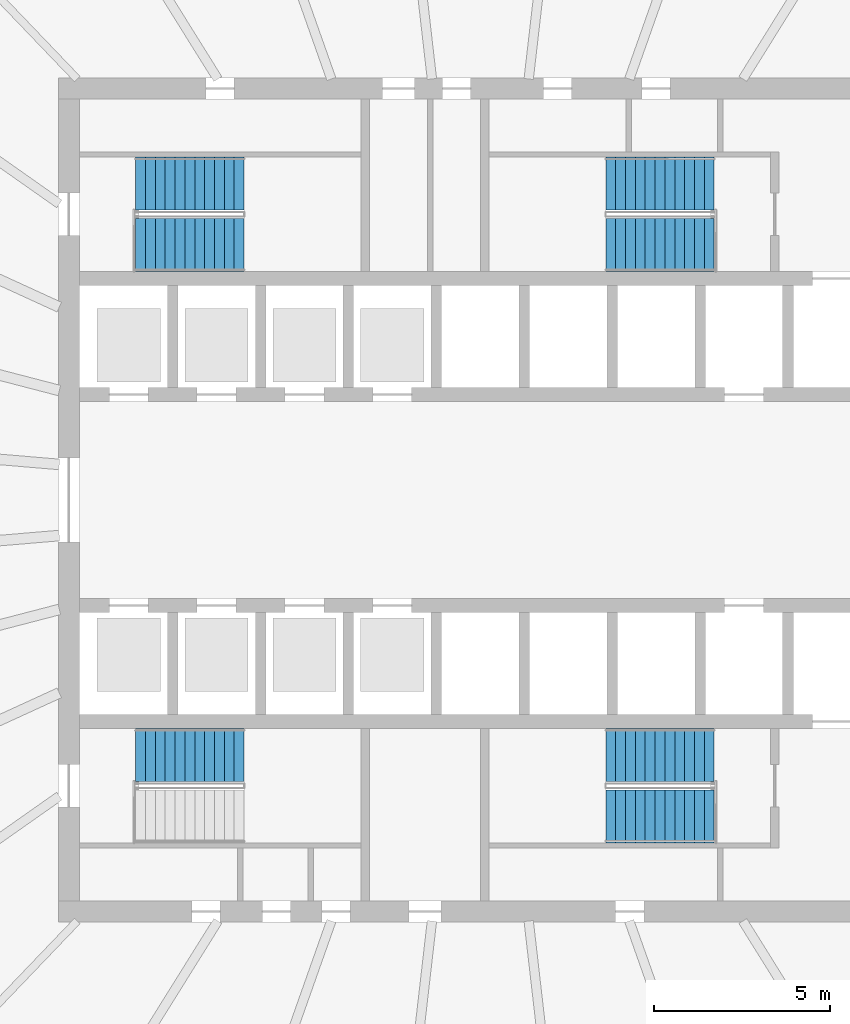
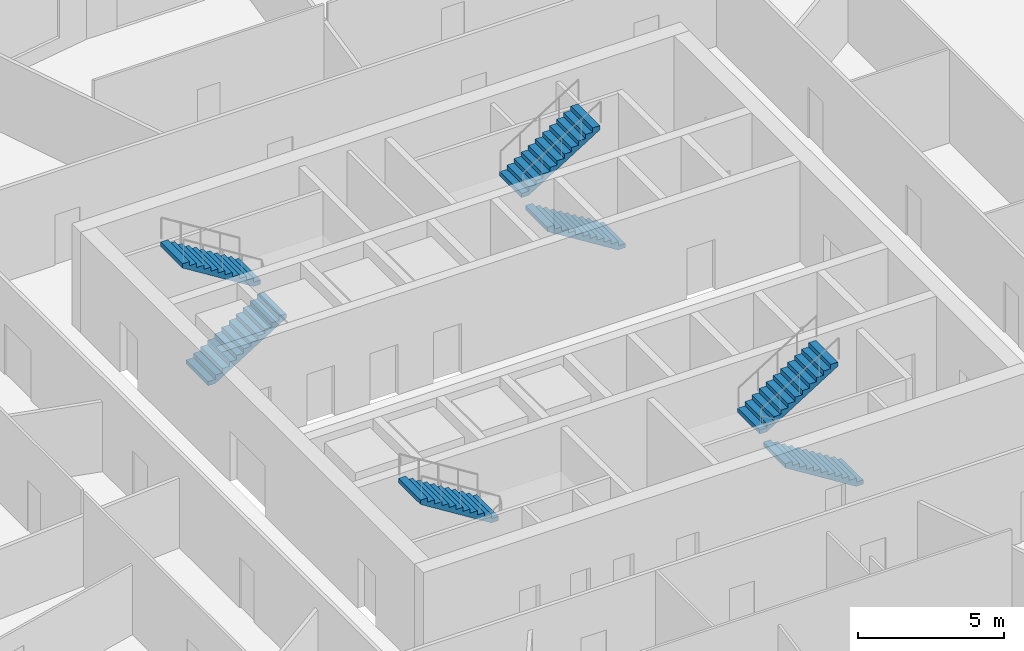
# One storey, part 8 of 11: 7 stair flights, 4 elements without a shape of their own.
"""IFC4 building model written with IfcOpenShell, lengths in metres."""

import ifcopenshell
import ifcopenshell.guid

model = None  # the IFC model being written
_history = None  # IfcOwnerHistory: only IFC2X3 demands one
_inside = {}  # id of a spatial element -> (the spatial element, [elements in it])
_under = {}  # id of a project, library or spatial element -> (it, [spatial elements below it])
_declared = {}  # id of a project -> (the project, [libraries it declares])
_typed = {}  # id of a type object -> (the type object, [elements of that type])
_made_of = {}  # id of a material, layer set ... -> (it, [elements and type objects made of it])


def new_model(schema):
    """Start an empty IFC model of exactly this schema.

    Asked for "IFC4X3", IfcOpenShell would pick the latest addendum, in which some entities
    have other attributes; the version numbers below select the first issue.
    IFC2X3 requires an IfcOwnerHistory on every rooted entity: one is made here for all.
    """
    global model, _history
    if schema == "IFC4X3":
        model = ifcopenshell.file(schema_version=(4, 3, 0, 0))
    else:
        model = ifcopenshell.file(schema=schema)
    _inside.clear()
    _under.clear()
    _declared.clear()
    _typed.clear()
    _made_of.clear()
    _history = None
    if model.schema == "IFC2X3":
        org = make("IfcOrganization", Name="unknown")
        user = make(
            "IfcPersonAndOrganization",
            ThePerson=make("IfcPerson", FamilyName="unknown"),
            TheOrganization=org,
        )
        app = make(
            "IfcApplication",
            ApplicationDeveloper=org,
            Version="unknown",
            ApplicationFullName="unknown",
            ApplicationIdentifier="unknown",
        )
        _history = make(
            "IfcOwnerHistory",
            OwningUser=user,
            OwningApplication=app,
            ChangeAction="ADDED",
            CreationDate=0,
        )
    return model


def make(cls, **values):
    """One entity of the class cls with the attributes given. An attribute that is None is left unset."""
    return model.create_entity(
        cls, **{name: value for name, value in values.items() if value is not None}
    )


def rooted(cls, **values):
    """An entity with a GlobalId (a new one), such as an element, a storey or a relation."""
    return make(cls, GlobalId=ifcopenshell.guid.new(), OwnerHistory=_history, **values)


def si_unit(unit_type, name, prefix=None):
    """IfcSIUnit, for example si_unit("LENGTHUNIT", "METRE", prefix="MILLI")."""
    return make("IfcSIUnit", UnitType=unit_type, Prefix=prefix, Name=name)


def assignment(units):
    """IfcUnitAssignment: the units of a project."""
    return None if units is None else make("IfcUnitAssignment", Units=units)


def point(xyz):
    """IfcCartesianPoint."""
    return None if xyz is None else make("IfcCartesianPoint", Coordinates=xyz)


def direction(xyz):
    """IfcDirection."""
    return None if xyz is None else make("IfcDirection", DirectionRatios=xyz)


def frame(location, z_axis=None, x_axis=None):
    """IfcAxis2Placement3D, a coordinate frame: its origin and axes. An axis left out is left unset."""
    return make(
        "IfcAxis2Placement3D",
        Location=point(location),
        Axis=direction(z_axis),
        RefDirection=direction(x_axis),
    )


def origin():
    """The frame at (0, 0, 0) with its axes left unset."""
    return frame((0.0, 0.0, 0.0))


def place(relative_to, where):
    """IfcLocalPlacement: puts the frame where relative to a parent placement (None: the world)."""
    return make(
        "IfcLocalPlacement", PlacementRelTo=relative_to, RelativePlacement=where
    )


def context(
    kind, dimensions, precision=None, world=None, true_north=None, identifier=None
):
    """IfcGeometricRepresentationContext, for example the 3D "Model" context."""
    return make(
        "IfcGeometricRepresentationContext",
        ContextIdentifier=identifier,
        ContextType=kind,
        CoordinateSpaceDimension=dimensions,
        Precision=precision,
        WorldCoordinateSystem=world,
        TrueNorth=true_north,
    )


def subcontext(parent, identifier, kind, view, scale=None):
    """IfcGeometricRepresentationSubContext, for example "Body" below "Model"."""
    return make(
        "IfcGeometricRepresentationSubContext",
        ContextIdentifier=identifier,
        ContextType=kind,
        ParentContext=parent,
        TargetScale=scale,
        TargetView=view,
    )


def project(units=None, contexts=None):
    """IfcProject with its units and contexts."""
    return rooted(
        "IfcProject",
        Name="project",
        RepresentationContexts=contexts,
        UnitsInContext=assignment(units),
    )


def spatial(cls, under=None, at=None, **own):
    """A site, building, storey or space (cls), placed at a placement, below another one or the project."""
    s = rooted(cls, ObjectPlacement=at, **own)
    if under is not None:
        _under.setdefault(under.id(), (under, []))[1].append(s)
    return s


def polyline(points):
    """IfcPolyline through the points."""
    return make("IfcPolyline", Points=[point(p) for p in points])


def outline(outer, holes=None, kind="AREA"):
    """IfcArbitraryClosedProfileDef: a profile drawn as a closed curve; with holes, ...WithVoids."""
    if holes is None:
        return make("IfcArbitraryClosedProfileDef", ProfileType=kind, OuterCurve=outer)
    return make(
        "IfcArbitraryProfileDefWithVoids",
        ProfileType=kind,
        OuterCurve=outer,
        InnerCurves=holes,
    )


def extrude(swept, where, along, depth):
    """IfcExtrudedAreaSolid: the profile swept, set in the frame where, extruded along a direction by depth."""
    return make(
        "IfcExtrudedAreaSolid",
        SweptArea=swept,
        Position=where,
        ExtrudedDirection=direction(along),
        Depth=depth,
    )


def shape(context_of_items, identifier, shape_type, items):
    """IfcShapeRepresentation: the items that make up one representation, for example the "Body"."""
    return make(
        "IfcShapeRepresentation",
        ContextOfItems=context_of_items,
        RepresentationIdentifier=identifier,
        RepresentationType=shape_type,
        Items=items,
    )


def material(Name=None, Category=None):
    """IfcMaterial."""
    return make("IfcMaterial", Name=Name, Category=Category)


def made_of(thing, what):
    """Note that an element or type object is made of a material, layer set ...; save() writes the relation."""
    if what is not None:
        _made_of.setdefault(what.id(), (what, []))[1].append(thing)
    return thing


def type_object(cls, material=None, **own):
    """A type object (cls), such as IfcWallType, which elements share."""
    return made_of(rooted(cls, **own), material)


def element(
    cls,
    number,
    at=None,
    inside=None,
    cuts=None,
    type_object=None,
    material=None,
    context=None,
    identifier="Body",
    shape_type=None,
    held_by="IfcProductDefinitionShape",
    body=None,
    shapes=None,
    **own,
):
    """One element of the class cls, such as IfcWall. Its Tag is "e" and its number.

    at: its placement. inside: the storey or other place that contains it. cuts: it is an
    opening in that element (IfcRelVoidsElement). A single representation is given by context,
    identifier, shape_type and body (its items); several are given by shapes. held_by: the class
    of the entity that holds the representations. save() writes the other relations.
    """
    e = rooted(cls, Tag="e%d" % number, ObjectPlacement=at, **own)
    if body is not None:
        shapes = [shape(context, identifier, shape_type, body)]
    if shapes is not None:
        e.Representation = make(held_by, Representations=shapes)
    if inside is not None:
        _inside.setdefault(inside.id(), (inside, []))[1].append(e)
    if cuts is not None:
        rooted(
            "IfcRelVoidsElement", RelatingBuildingElement=cuts, RelatedOpeningElement=e
        )
    if type_object is not None:
        _typed.setdefault(type_object.id(), (type_object, []))[1].append(e)
    return made_of(e, material)


def aggregate(whole, parts):
    """IfcRelAggregates: a whole, such as a stair, and the parts it consists of."""
    return rooted("IfcRelAggregates", RelatingObject=whole, RelatedObjects=parts)


def save(model, path):
    """Write the relations noted so far, then the file.

    IfcRelAggregates (storeys below a building ...), IfcRelContainedInSpatialStructure (elements
    in a storey), IfcRelDefinesByType, IfcRelAssociatesMaterial and IfcRelDeclares: one each for
    every whole, place, type object, material and project.
    """
    for whole, parts in _under.values():
        aggregate(whole, parts)
    for where, things in _inside.values():
        rooted(
            "IfcRelContainedInSpatialStructure",
            RelatedElements=things,
            RelatingStructure=where,
        )
    for kind, things in _typed.values():
        rooted("IfcRelDefinesByType", RelatedObjects=things, RelatingType=kind)
    for what, things in _made_of.values():
        rooted("IfcRelAssociatesMaterial", RelatedObjects=things, RelatingMaterial=what)
    for by, libraries in _declared.values():
        rooted("IfcRelDeclares", RelatingContext=by, RelatedDefinitions=libraries)
    model.write(path)


model = new_model("IFC4")

# Units and contexts
model_context = context("Model", 3, precision=1e-05, world=origin(), true_north=direction((0.0, 1.0)))
body_context = subcontext(model_context, "Body", "Model", "MODEL_VIEW")
ifc_project = project(units=[si_unit("LENGTHUNIT", "METRE"), si_unit("AREAUNIT", "SQUARE_METRE"), si_unit("VOLUMEUNIT", "CUBIC_METRE"), si_unit("PLANEANGLEUNIT", "RADIAN"), si_unit("MASSUNIT", "GRAM", prefix="KILO")], contexts=[model_context])

# Site, building, storey
site_placement = place(None, origin())
site = spatial("IfcSite", under=ifc_project, at=site_placement, CompositionType="ELEMENT")
building_placement = place(site_placement, origin())
building = spatial("IfcBuilding", under=site, at=building_placement, Name="Halqa Exchange Tower", CompositionType="ELEMENT")
storey_placement = place(building_placement, frame((0.0, 0.0, 142.300048828125)))
storey = spatial("IfcBuildingStorey", under=building, at=storey_placement, Name="L32", CompositionType="ELEMENT", Elevation=142.300048828125)

# Stair, stair flights
ifc_material = material(Name="Concrete C30/37", Category="concrete")
stair_type = type_object("IfcStairType", Name="Exit stair 1500 wide", PredefinedType="HALF_TURN_STAIR", material=ifc_material)
stair_1_placement = place(storey_placement, origin())
stair_1 = element("IfcStair", 1, at=stair_1_placement, inside=storey, type_object=stair_type, Name="Exit stair ST1", PredefinedType="HALF_TURN_STAIR")
stair_flight_type = type_object("IfcStairFlightType", Name="Stair flight 1500 wide", PredefinedType="STRAIGHT", material=ifc_material)
stair_flight_1_placement = place(storey_placement, frame((-9.800048828125, 7.25, 0.0), z_axis=(0.0, 0.0, 1.0), x_axis=(1.0, 0.0, 0.0)))
stair_flight_1 = element("IfcStairFlight", 2, at=stair_flight_1_placement, type_object=stair_flight_type, Name="ST1 flight 1", NumberOfRisers=12, NumberOfTreads=11, PredefinedType="STRAIGHT", RiserHeight=0.175, TreadLength=0.28, context=body_context, shape_type="SweptSolid", body=[
    extrude(outline(polyline([(0.0, 0.0), (0.0, 0.175048828125), (0.280029296875, 0.175048828125), (0.280029296875, 0.35009765625), (0.56005859375, 0.35009765625), (0.56005859375, 0.52490234375), (0.840087890625, 0.52490234375), (0.840087890625, 0.699951171875), (1.1201171875, 0.699951171875), (1.1201171875, 0.875), (1.39990234375, 0.875), (1.39990234375, 1.050048828125), (1.679931640625, 1.050048828125), (1.679931640625, 1.22509765625), (1.9599609375, 1.22509765625), (1.9599609375, 1.39990234375), (2.239990234375, 1.39990234375), (2.239990234375, 1.574951171875), (2.52001953125, 1.574951171875), (2.52001953125, 1.75), (2.800048828125, 1.75), (2.800048828125, 1.925048828125), (3.080078125, 1.925048828125), (3.080078125, 2.10009765625), (3.080078125, 1.748291015625), (0.28271484375, 0.0), (0.0, 0.0)])), frame((0.0, 0.75, 0.0), z_axis=(0.0, -1.0, 0.0), x_axis=(1.0, 0.0, 0.0)), (0.0, 0.0, 1.0), 1.5),
])
stair_flight_2_placement = place(storey_placement, frame((-6.719970703125, 9.0, 2.099853515625), z_axis=(0.0, 0.0, 1.0), x_axis=(-1.0, 0.0, 0.0)))
stair_flight_2 = element("IfcStairFlight", 3, at=stair_flight_2_placement, type_object=stair_flight_type, Name="ST1 flight 2", NumberOfRisers=12, NumberOfTreads=11, PredefinedType="STRAIGHT", RiserHeight=0.175, TreadLength=0.28, context=body_context, shape_type="SweptSolid", body=[
    extrude(outline(polyline([(0.0, 0.0), (0.0, 0.175048828125), (0.280029296875, 0.175048828125), (0.280029296875, 0.35009765625), (0.56005859375, 0.35009765625), (0.56005859375, 0.52490234375), (0.840087890625, 0.52490234375), (0.840087890625, 0.699951171875), (1.1201171875, 0.699951171875), (1.1201171875, 0.875), (1.39990234375, 0.875), (1.39990234375, 1.050048828125), (1.679931640625, 1.050048828125), (1.679931640625, 1.22509765625), (1.9599609375, 1.22509765625), (1.9599609375, 1.39990234375), (2.239990234375, 1.39990234375), (2.239990234375, 1.574951171875), (2.52001953125, 1.574951171875), (2.52001953125, 1.75), (2.800048828125, 1.75), (2.800048828125, 1.925048828125), (3.080078125, 1.925048828125), (3.080078125, 2.10009765625), (3.080078125, 1.748291015625), (0.28271484375, 0.0), (0.0, 0.0)])), frame((0.0, 0.75, 0.0), z_axis=(0.0, -1.0, 0.0), x_axis=(1.0, 0.0, 0.0)), (0.0, 0.0, 1.0), 1.5),
])
aggregate(stair_1, [stair_flight_1, stair_flight_2])

stair_2_placement = place(storey_placement, origin())
stair_2 = element("IfcStair", 4, at=stair_2_placement, inside=storey, type_object=stair_type, Name="Exit stair ST2", PredefinedType="HALF_TURN_STAIR")
stair_flight_3_placement = place(storey_placement, frame((6.64990234375, 7.25, 0.0), z_axis=(0.0, 0.0, 1.0), x_axis=(-1.0, 0.0, 0.0)))
stair_flight_3 = element("IfcStairFlight", 5, at=stair_flight_3_placement, type_object=stair_flight_type, Name="ST2 flight 1", NumberOfRisers=12, NumberOfTreads=11, PredefinedType="STRAIGHT", RiserHeight=0.175, TreadLength=0.28, context=body_context, shape_type="SweptSolid", body=[
    extrude(outline(polyline([(0.0, 0.0), (0.0, 0.175048828125), (0.280029296875, 0.175048828125), (0.280029296875, 0.35009765625), (0.56005859375, 0.35009765625), (0.56005859375, 0.52490234375), (0.840087890625, 0.52490234375), (0.840087890625, 0.699951171875), (1.1201171875, 0.699951171875), (1.1201171875, 0.875), (1.39990234375, 0.875), (1.39990234375, 1.050048828125), (1.679931640625, 1.050048828125), (1.679931640625, 1.22509765625), (1.9599609375, 1.22509765625), (1.9599609375, 1.39990234375), (2.239990234375, 1.39990234375), (2.239990234375, 1.574951171875), (2.52001953125, 1.574951171875), (2.52001953125, 1.75), (2.800048828125, 1.75), (2.800048828125, 1.925048828125), (3.080078125, 1.925048828125), (3.080078125, 2.10009765625), (3.080078125, 1.748291015625), (0.28271484375, 0.0), (0.0, 0.0)])), frame((0.0, 0.75, 0.0), z_axis=(0.0, -1.0, 0.0), x_axis=(1.0, 0.0, 0.0)), (0.0, 0.0, 1.0), 1.5),
])
stair_flight_4_placement = place(storey_placement, frame((3.570068359375, 9.0, 2.099853515625), z_axis=(0.0, 0.0, 1.0), x_axis=(1.0, 0.0, 0.0)))
stair_flight_4 = element("IfcStairFlight", 6, at=stair_flight_4_placement, type_object=stair_flight_type, Name="ST2 flight 2", NumberOfRisers=12, NumberOfTreads=11, PredefinedType="STRAIGHT", RiserHeight=0.175, TreadLength=0.28, context=body_context, shape_type="SweptSolid", body=[
    extrude(outline(polyline([(0.0, 0.0), (0.0, 0.175048828125), (0.280029296875, 0.175048828125), (0.280029296875, 0.35009765625), (0.56005859375, 0.35009765625), (0.56005859375, 0.52490234375), (0.840087890625, 0.52490234375), (0.840087890625, 0.699951171875), (1.1201171875, 0.699951171875), (1.1201171875, 0.875), (1.39990234375, 0.875), (1.39990234375, 1.050048828125), (1.679931640625, 1.050048828125), (1.679931640625, 1.22509765625), (1.9599609375, 1.22509765625), (1.9599609375, 1.39990234375), (2.239990234375, 1.39990234375), (2.239990234375, 1.574951171875), (2.52001953125, 1.574951171875), (2.52001953125, 1.75), (2.800048828125, 1.75), (2.800048828125, 1.925048828125), (3.080078125, 1.925048828125), (3.080078125, 2.10009765625), (3.080078125, 1.748291015625), (0.28271484375, 0.0), (0.0, 0.0)])), frame((0.0, 0.75, 0.0), z_axis=(0.0, -1.0, 0.0), x_axis=(1.0, 0.0, 0.0)), (0.0, 0.0, 1.0), 1.5),
])
aggregate(stair_2, [stair_flight_3, stair_flight_4])

# Stair, stair flight
stair_3_placement = place(storey_placement, origin())
stair_3 = element("IfcStair", 7, at=stair_3_placement, inside=storey, type_object=stair_type, Name="Exit stair ST3", PredefinedType="HALF_TURN_STAIR")
stair_flight_5_placement = place(storey_placement, frame((-6.719970703125, -7.25, 2.099853515625), z_axis=(0.0, 0.0, 1.0), x_axis=(-1.0, 0.0, 0.0)))
stair_flight_5 = element("IfcStairFlight", 8, at=stair_flight_5_placement, type_object=stair_flight_type, Name="ST3 flight 2", NumberOfRisers=12, NumberOfTreads=11, PredefinedType="STRAIGHT", RiserHeight=0.175, TreadLength=0.28, context=body_context, shape_type="SweptSolid", body=[
    extrude(outline(polyline([(0.0, 0.0), (0.0, 0.175048828125), (0.280029296875, 0.175048828125), (0.280029296875, 0.35009765625), (0.56005859375, 0.35009765625), (0.56005859375, 0.52490234375), (0.840087890625, 0.52490234375), (0.840087890625, 0.699951171875), (1.1201171875, 0.699951171875), (1.1201171875, 0.875), (1.39990234375, 0.875), (1.39990234375, 1.050048828125), (1.679931640625, 1.050048828125), (1.679931640625, 1.22509765625), (1.9599609375, 1.22509765625), (1.9599609375, 1.39990234375), (2.239990234375, 1.39990234375), (2.239990234375, 1.574951171875), (2.52001953125, 1.574951171875), (2.52001953125, 1.75), (2.800048828125, 1.75), (2.800048828125, 1.925048828125), (3.080078125, 1.925048828125), (3.080078125, 2.10009765625), (3.080078125, 1.748291015625), (0.28271484375, 0.0), (0.0, 0.0)])), frame((0.0, 0.75, 0.0), z_axis=(0.0, -1.0, 0.0), x_axis=(1.0, 0.0, 0.0)), (0.0, 0.0, 1.0), 1.5),
])
aggregate(stair_3, [stair_flight_5])

# Stair, stair flights
stair_4_placement = place(storey_placement, origin())
stair_4 = element("IfcStair", 9, at=stair_4_placement, inside=storey, type_object=stair_type, Name="Exit stair ST4", PredefinedType="HALF_TURN_STAIR")
stair_flight_6_placement = place(storey_placement, frame((6.64990234375, -9.0, 0.0), z_axis=(0.0, 0.0, 1.0), x_axis=(-1.0, 0.0, 0.0)))
stair_flight_6 = element("IfcStairFlight", 10, at=stair_flight_6_placement, type_object=stair_flight_type, Name="ST4 flight 1", NumberOfRisers=12, NumberOfTreads=11, PredefinedType="STRAIGHT", RiserHeight=0.175, TreadLength=0.28, context=body_context, shape_type="SweptSolid", body=[
    extrude(outline(polyline([(0.0, 0.0), (0.0, 0.175048828125), (0.280029296875, 0.175048828125), (0.280029296875, 0.35009765625), (0.56005859375, 0.35009765625), (0.56005859375, 0.52490234375), (0.840087890625, 0.52490234375), (0.840087890625, 0.699951171875), (1.1201171875, 0.699951171875), (1.1201171875, 0.875), (1.39990234375, 0.875), (1.39990234375, 1.050048828125), (1.679931640625, 1.050048828125), (1.679931640625, 1.22509765625), (1.9599609375, 1.22509765625), (1.9599609375, 1.39990234375), (2.239990234375, 1.39990234375), (2.239990234375, 1.574951171875), (2.52001953125, 1.574951171875), (2.52001953125, 1.75), (2.800048828125, 1.75), (2.800048828125, 1.925048828125), (3.080078125, 1.925048828125), (3.080078125, 2.10009765625), (3.080078125, 1.748291015625), (0.28271484375, 0.0), (0.0, 0.0)])), frame((0.0, 0.75, 0.0), z_axis=(0.0, -1.0, 0.0), x_axis=(1.0, 0.0, 0.0)), (0.0, 0.0, 1.0), 1.5),
])
stair_flight_7_placement = place(storey_placement, frame((3.570068359375, -7.25, 2.099853515625), z_axis=(0.0, 0.0, 1.0), x_axis=(1.0, 0.0, 0.0)))
stair_flight_7 = element("IfcStairFlight", 11, at=stair_flight_7_placement, type_object=stair_flight_type, Name="ST4 flight 2", NumberOfRisers=12, NumberOfTreads=11, PredefinedType="STRAIGHT", RiserHeight=0.175, TreadLength=0.28, context=body_context, shape_type="SweptSolid", body=[
    extrude(outline(polyline([(0.0, 0.0), (0.0, 0.175048828125), (0.280029296875, 0.175048828125), (0.280029296875, 0.35009765625), (0.56005859375, 0.35009765625), (0.56005859375, 0.52490234375), (0.840087890625, 0.52490234375), (0.840087890625, 0.699951171875), (1.1201171875, 0.699951171875), (1.1201171875, 0.875), (1.39990234375, 0.875), (1.39990234375, 1.050048828125), (1.679931640625, 1.050048828125), (1.679931640625, 1.22509765625), (1.9599609375, 1.22509765625), (1.9599609375, 1.39990234375), (2.239990234375, 1.39990234375), (2.239990234375, 1.574951171875), (2.52001953125, 1.574951171875), (2.52001953125, 1.75), (2.800048828125, 1.75), (2.800048828125, 1.925048828125), (3.080078125, 1.925048828125), (3.080078125, 2.10009765625), (3.080078125, 1.748291015625), (0.28271484375, 0.0), (0.0, 0.0)])), frame((0.0, 0.75, 0.0), z_axis=(0.0, -1.0, 0.0), x_axis=(1.0, 0.0, 0.0)), (0.0, 0.0, 1.0), 1.5),
])
aggregate(stair_4, [stair_flight_6, stair_flight_7])

save(model, "model.ifc")
